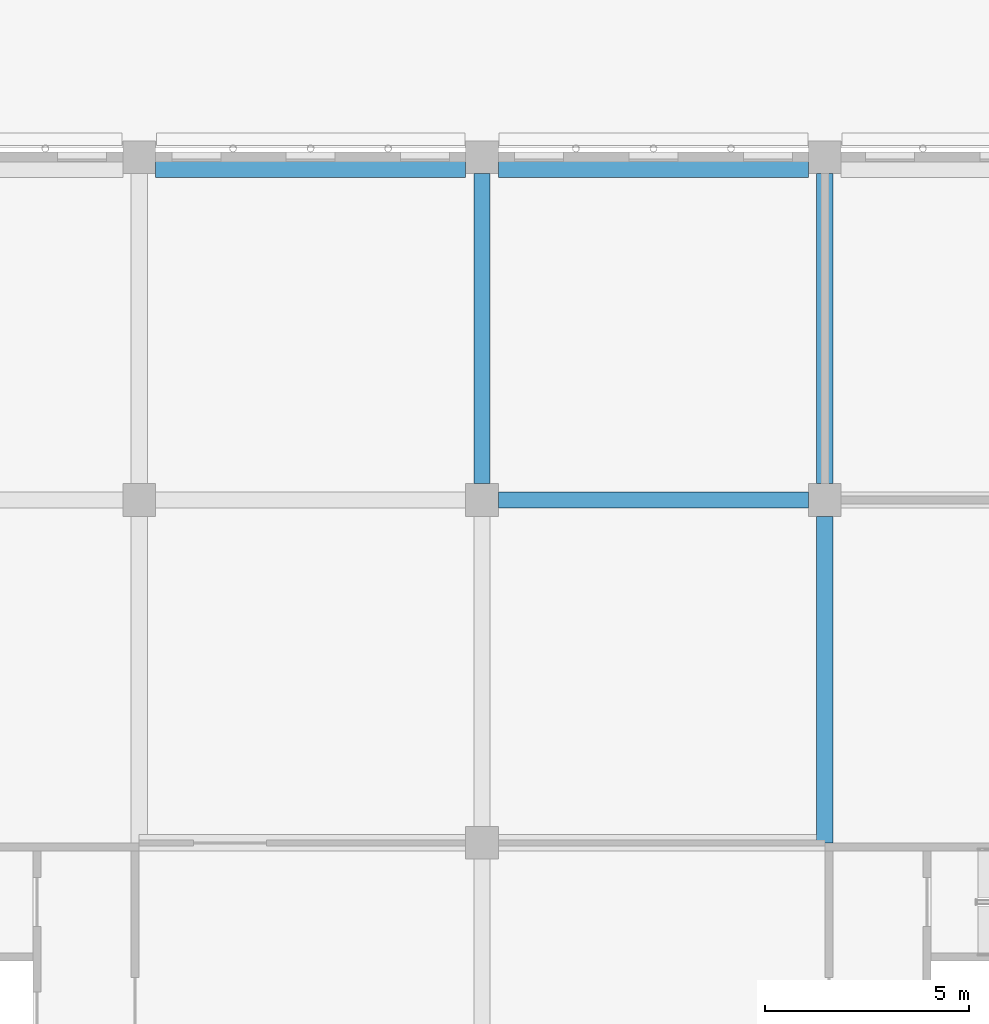
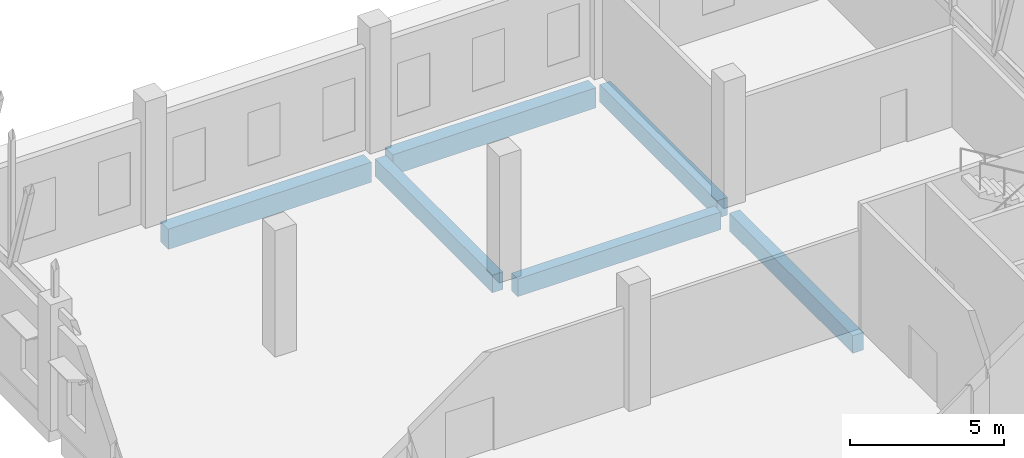
# One storey, part 9 of 101: 6 beams.
"""IFC4 building model written with IfcOpenShell, lengths in metres."""

from ifc_helpers import new_model, si_unit, direction, frame, origin, origin_2d, place, context, subcontext, project, spatial, rectangle, extrude, material, material_profile, profile_set, type_object, element, save


model = new_model("IFC4")

# Units and contexts
model_context = context("Model", 3, precision=1e-05, world=origin(), true_north=direction((0.0, 1.0)))
body_context = subcontext(model_context, "Body", "Model", "MODEL_VIEW")
ifc_project = project(units=[si_unit("LENGTHUNIT", "METRE"), si_unit("AREAUNIT", "SQUARE_METRE"), si_unit("VOLUMEUNIT", "CUBIC_METRE"), si_unit("PLANEANGLEUNIT", "RADIAN"), si_unit("MASSUNIT", "GRAM", prefix="KILO")], contexts=[model_context])

# Site, building, storey
site_placement = place(None, origin())
site = spatial("IfcSite", under=ifc_project, at=site_placement, CompositionType="ELEMENT")
building_placement = place(site_placement, origin())
building = spatial("IfcBuilding", under=site, at=building_placement, Name="Almond Square Museum", CompositionType="ELEMENT")
storey_placement = place(building_placement, frame((0.0, 0.0, 5.5)))
storey = spatial("IfcBuildingStorey", under=building, at=storey_placement, Name="L01", CompositionType="ELEMENT", Elevation=5.5)

# Beams
ifc_material_1 = material(Name="Concrete C40/50", Category="concrete")
ifc_material_profile_1 = material_profile(ifc_material_1, rectangle(XDim=0.39990234375, YDim=0.699951171875, at=origin_2d()))
ifc_profile_set_1 = profile_set([ifc_material_profile_1], Name="Concrete C40/50")
beam_type_1 = type_object("IfcBeamType", Name="RC beam 400 x 700 C40/50", PredefinedType="BEAM", material=ifc_profile_set_1)
beam_1_placement = place(storey_placement, frame((56.800048828125, 100.800048828125, -0.60009765625), z_axis=(1.0, 0.0, 0.0), x_axis=(0.0, 1.0, 0.0)))
element("IfcBeam", 1, at=beam_1_placement, inside=storey, type_object=beam_type_1, Name="Beam M 8-9 L01", PredefinedType="BEAM", context=body_context, shape_type="SweptSolid", body=[
    extrude(rectangle(XDim=0.39990234375, YDim=0.699951171875, at=origin_2d()), origin(), (0.0, 0.0, 1.0), 7.599853515625),
])
beam_2_placement = place(storey_placement, frame((56.39990234375, 101.199951171875, -0.60009765625), z_axis=(0.0, 1.0, 0.0), x_axis=(-1.0, 0.0, 0.0)))
element("IfcBeam", 2, at=beam_2_placement, inside=storey, type_object=beam_type_1, Name="Beam 8 M-N L01", PredefinedType="BEAM", context=body_context, shape_type="SweptSolid", body=[
    extrude(rectangle(XDim=0.39990234375, YDim=0.699951171875, at=origin_2d()), origin(), (0.0, 0.0, 1.0), 7.60009765625),
])
beam_3_placement = place(storey_placement, frame((64.800048828125, 92.39990234375, -0.60009765625), z_axis=(0.0, 1.0, 0.0), x_axis=(-1.0, 0.0, 0.0)))
element("IfcBeam", 3, at=beam_3_placement, inside=storey, type_object=beam_type_1, Name="Beam 9 L-M L01", PredefinedType="BEAM", context=body_context, shape_type="SweptSolid", body=[
    extrude(rectangle(XDim=0.39990234375, YDim=0.699951171875, at=origin_2d()), origin(), (0.0, 0.0, 1.0), 8.0),
])
beam_4_placement = place(storey_placement, frame((64.800048828125, 101.199951171875, -0.60009765625), z_axis=(0.0, 1.0, 0.0), x_axis=(-1.0, 0.0, 0.0)))
element("IfcBeam", 4, at=beam_4_placement, inside=storey, type_object=beam_type_1, Name="Beam 9 M-N L01", PredefinedType="BEAM", context=body_context, shape_type="SweptSolid", body=[
    extrude(rectangle(XDim=0.39990234375, YDim=0.699951171875, at=origin_2d()), origin(), (0.0, 0.0, 1.0), 7.60009765625),
])
ifc_material_2 = material(Name="Concrete C40/50", Category="concrete")
ifc_material_profile_2 = material_profile(ifc_material_2, rectangle(XDim=0.5, YDim=0.800048828125, at=origin_2d()))
ifc_profile_set_2 = profile_set([ifc_material_profile_2], Name="Concrete C40/50")
beam_type_2 = type_object("IfcBeamType", Name="RC edge beam 500 x 800 C40/50", PredefinedType="BEAM", material=ifc_profile_set_2)
beam_5_placement = place(storey_placement, frame((48.39990234375, 108.949951171875, -0.64990234375), z_axis=(1.0, 0.0, 0.0), x_axis=(0.0, 1.0, 0.0)))
element("IfcBeam", 5, at=beam_5_placement, inside=storey, type_object=beam_type_2, Name="Edge beam N 7-8 L01", PredefinedType="BEAM", context=body_context, shape_type="SweptSolid", body=[
    extrude(rectangle(XDim=0.5, YDim=0.800048828125, at=origin_2d()), origin(), (0.0, 0.0, 1.0), 7.60009765625),
])
beam_6_placement = place(storey_placement, frame((56.800048828125, 108.949951171875, -0.64990234375), z_axis=(1.0, 0.0, 0.0), x_axis=(0.0, 1.0, 0.0)))
element("IfcBeam", 6, at=beam_6_placement, inside=storey, type_object=beam_type_2, Name="Edge beam N 8-9 L01", PredefinedType="BEAM", context=body_context, shape_type="SweptSolid", body=[
    extrude(rectangle(XDim=0.5, YDim=0.800048828125, at=origin_2d()), origin(), (0.0, 0.0, 1.0), 7.599853515625),
])

save(model, "model.ifc")
